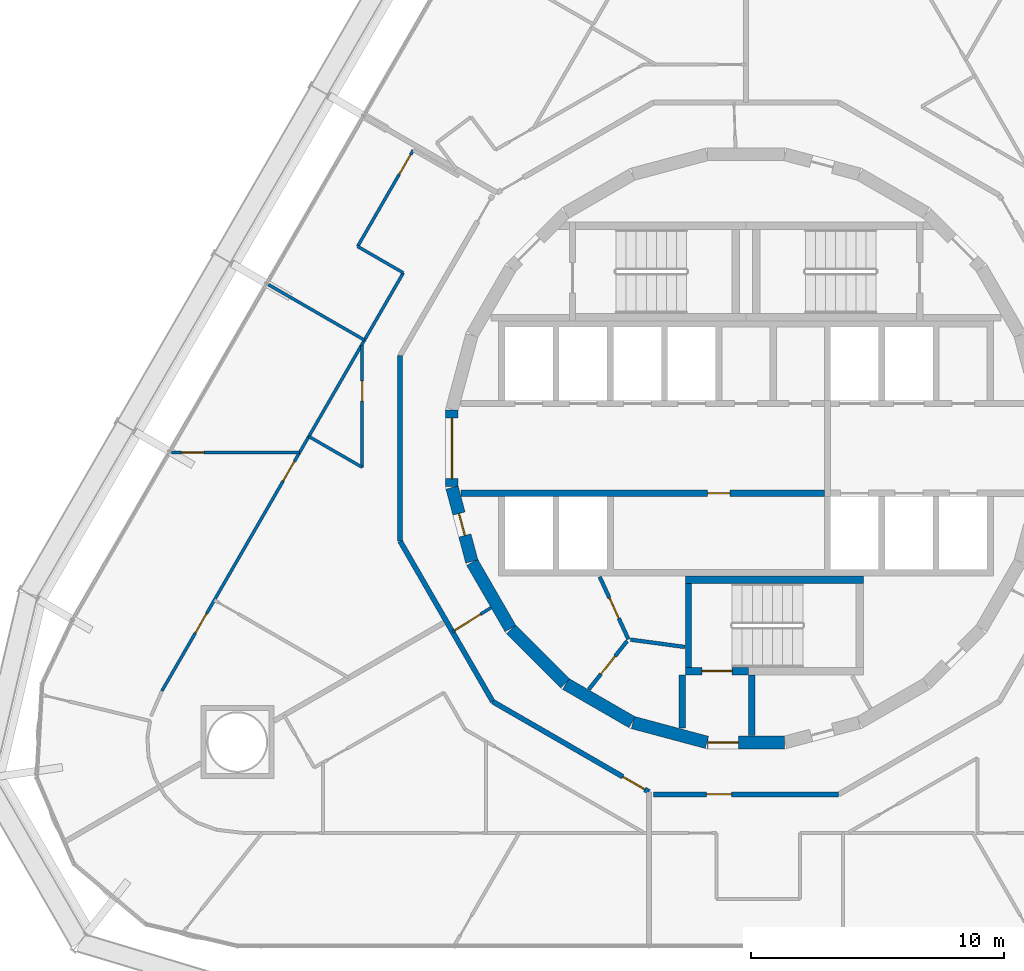
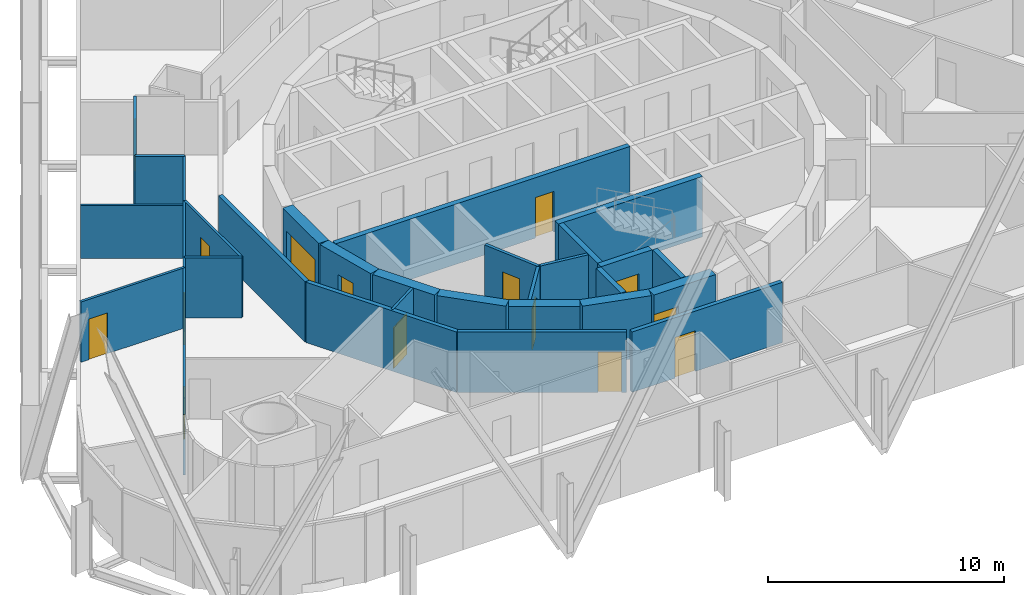
# One storey, part 15 of 21: 29 walls, 15 doors, 15 openings.
"""IFC4 building model written with IfcOpenShell, lengths in metres."""

import ifcopenshell
import ifcopenshell.guid

model = None  # the IFC model being written
_history = None  # IfcOwnerHistory: only IFC2X3 demands one
_inside = {}  # id of a spatial element -> (the spatial element, [elements in it])
_under = {}  # id of a project, library or spatial element -> (it, [spatial elements below it])
_declared = {}  # id of a project -> (the project, [libraries it declares])
_typed = {}  # id of a type object -> (the type object, [elements of that type])
_made_of = {}  # id of a material, layer set ... -> (it, [elements and type objects made of it])


def new_model(schema):
    """Start an empty IFC model of exactly this schema.

    Asked for "IFC4X3", IfcOpenShell would pick the latest addendum, in which some entities
    have other attributes; the version numbers below select the first issue.
    IFC2X3 requires an IfcOwnerHistory on every rooted entity: one is made here for all.
    """
    global model, _history
    if schema == "IFC4X3":
        model = ifcopenshell.file(schema_version=(4, 3, 0, 0))
    else:
        model = ifcopenshell.file(schema=schema)
    _inside.clear()
    _under.clear()
    _declared.clear()
    _typed.clear()
    _made_of.clear()
    _history = None
    if model.schema == "IFC2X3":
        org = make("IfcOrganization", Name="unknown")
        user = make(
            "IfcPersonAndOrganization",
            ThePerson=make("IfcPerson", FamilyName="unknown"),
            TheOrganization=org,
        )
        app = make(
            "IfcApplication",
            ApplicationDeveloper=org,
            Version="unknown",
            ApplicationFullName="unknown",
            ApplicationIdentifier="unknown",
        )
        _history = make(
            "IfcOwnerHistory",
            OwningUser=user,
            OwningApplication=app,
            ChangeAction="ADDED",
            CreationDate=0,
        )
    return model


def make(cls, **values):
    """One entity of the class cls with the attributes given. An attribute that is None is left unset."""
    return model.create_entity(
        cls, **{name: value for name, value in values.items() if value is not None}
    )


def rooted(cls, **values):
    """An entity with a GlobalId (a new one), such as an element, a storey or a relation."""
    return make(cls, GlobalId=ifcopenshell.guid.new(), OwnerHistory=_history, **values)


def si_unit(unit_type, name, prefix=None):
    """IfcSIUnit, for example si_unit("LENGTHUNIT", "METRE", prefix="MILLI")."""
    return make("IfcSIUnit", UnitType=unit_type, Prefix=prefix, Name=name)


def assignment(units):
    """IfcUnitAssignment: the units of a project."""
    return None if units is None else make("IfcUnitAssignment", Units=units)


def point(xyz):
    """IfcCartesianPoint."""
    return None if xyz is None else make("IfcCartesianPoint", Coordinates=xyz)


def direction(xyz):
    """IfcDirection."""
    return None if xyz is None else make("IfcDirection", DirectionRatios=xyz)


def frame(location, z_axis=None, x_axis=None):
    """IfcAxis2Placement3D, a coordinate frame: its origin and axes. An axis left out is left unset."""
    return make(
        "IfcAxis2Placement3D",
        Location=point(location),
        Axis=direction(z_axis),
        RefDirection=direction(x_axis),
    )


def frame_2d(location, x_axis=None):
    """IfcAxis2Placement2D, a coordinate frame in the plane: its origin and x axis."""
    return make(
        "IfcAxis2Placement2D", Location=point(location), RefDirection=direction(x_axis)
    )


def origin():
    """The frame at (0, 0, 0) with its axes left unset."""
    return frame((0.0, 0.0, 0.0))


def place(relative_to, where):
    """IfcLocalPlacement: puts the frame where relative to a parent placement (None: the world)."""
    return make(
        "IfcLocalPlacement", PlacementRelTo=relative_to, RelativePlacement=where
    )


def context(
    kind, dimensions, precision=None, world=None, true_north=None, identifier=None
):
    """IfcGeometricRepresentationContext, for example the 3D "Model" context."""
    return make(
        "IfcGeometricRepresentationContext",
        ContextIdentifier=identifier,
        ContextType=kind,
        CoordinateSpaceDimension=dimensions,
        Precision=precision,
        WorldCoordinateSystem=world,
        TrueNorth=true_north,
    )


def subcontext(parent, identifier, kind, view, scale=None):
    """IfcGeometricRepresentationSubContext, for example "Body" below "Model"."""
    return make(
        "IfcGeometricRepresentationSubContext",
        ContextIdentifier=identifier,
        ContextType=kind,
        ParentContext=parent,
        TargetScale=scale,
        TargetView=view,
    )


def project(units=None, contexts=None):
    """IfcProject with its units and contexts."""
    return rooted(
        "IfcProject",
        Name="project",
        RepresentationContexts=contexts,
        UnitsInContext=assignment(units),
    )


def spatial(cls, under=None, at=None, **own):
    """A site, building, storey or space (cls), placed at a placement, below another one or the project."""
    s = rooted(cls, ObjectPlacement=at, **own)
    if under is not None:
        _under.setdefault(under.id(), (under, []))[1].append(s)
    return s


def profile(cls, at=None, kind="AREA", **sizes):
    """A parametric profile (cls). Its sizes go by their IFC names, for example OverallWidth=200.0."""
    return make(cls, ProfileType=kind, Position=at, **sizes)


def rectangle(**sizes):
    """IfcRectangleProfileDef."""
    return profile("IfcRectangleProfileDef", **sizes)


def extrude(swept, where, along, depth):
    """IfcExtrudedAreaSolid: the profile swept, set in the frame where, extruded along a direction by depth."""
    return make(
        "IfcExtrudedAreaSolid",
        SweptArea=swept,
        Position=where,
        ExtrudedDirection=direction(along),
        Depth=depth,
    )


def shape(context_of_items, identifier, shape_type, items):
    """IfcShapeRepresentation: the items that make up one representation, for example the "Body"."""
    return make(
        "IfcShapeRepresentation",
        ContextOfItems=context_of_items,
        RepresentationIdentifier=identifier,
        RepresentationType=shape_type,
        Items=items,
    )


def material(Name=None, Category=None):
    """IfcMaterial."""
    return make("IfcMaterial", Name=Name, Category=Category)


def layer(
    of_material, thickness, ventilated=None, Name=None, Category=None, Priority=None
):
    """IfcMaterialLayer: one layer of a wall or slab, of a material (None: an air gap)."""
    return make(
        "IfcMaterialLayer",
        Material=of_material,
        LayerThickness=thickness,
        IsVentilated=ventilated,
        Name=Name,
        Category=Category,
        Priority=Priority,
    )


def layer_set(layers, Name=None):
    """IfcMaterialLayerSet."""
    return make("IfcMaterialLayerSet", MaterialLayers=layers, LayerSetName=Name)


def made_of(thing, what):
    """Note that an element or type object is made of a material, layer set ...; save() writes the relation."""
    if what is not None:
        _made_of.setdefault(what.id(), (what, []))[1].append(thing)
    return thing


def type_object(cls, material=None, **own):
    """A type object (cls), such as IfcWallType, which elements share."""
    return made_of(rooted(cls, **own), material)


def element(
    cls,
    number,
    at=None,
    inside=None,
    cuts=None,
    type_object=None,
    material=None,
    context=None,
    identifier="Body",
    shape_type=None,
    held_by="IfcProductDefinitionShape",
    body=None,
    shapes=None,
    **own,
):
    """One element of the class cls, such as IfcWall. Its Tag is "e" and its number.

    at: its placement. inside: the storey or other place that contains it. cuts: it is an
    opening in that element (IfcRelVoidsElement). A single representation is given by context,
    identifier, shape_type and body (its items); several are given by shapes. held_by: the class
    of the entity that holds the representations. save() writes the other relations.
    """
    e = rooted(cls, Tag="e%d" % number, ObjectPlacement=at, **own)
    if body is not None:
        shapes = [shape(context, identifier, shape_type, body)]
    if shapes is not None:
        e.Representation = make(held_by, Representations=shapes)
    if inside is not None:
        _inside.setdefault(inside.id(), (inside, []))[1].append(e)
    if cuts is not None:
        rooted(
            "IfcRelVoidsElement", RelatingBuildingElement=cuts, RelatedOpeningElement=e
        )
    if type_object is not None:
        _typed.setdefault(type_object.id(), (type_object, []))[1].append(e)
    return made_of(e, material)


def fill(opening, filler):
    """IfcRelFillsElement: the door or window that sits in an opening."""
    return rooted(
        "IfcRelFillsElement",
        RelatingOpeningElement=opening,
        RelatedBuildingElement=filler,
    )


def aggregate(whole, parts):
    """IfcRelAggregates: a whole, such as a stair, and the parts it consists of."""
    return rooted("IfcRelAggregates", RelatingObject=whole, RelatedObjects=parts)


def save(model, path):
    """Write the relations noted so far, then the file.

    IfcRelAggregates (storeys below a building ...), IfcRelContainedInSpatialStructure (elements
    in a storey), IfcRelDefinesByType, IfcRelAssociatesMaterial and IfcRelDeclares: one each for
    every whole, place, type object, material and project.
    """
    for whole, parts in _under.values():
        aggregate(whole, parts)
    for where, things in _inside.values():
        rooted(
            "IfcRelContainedInSpatialStructure",
            RelatedElements=things,
            RelatingStructure=where,
        )
    for kind, things in _typed.values():
        rooted("IfcRelDefinesByType", RelatedObjects=things, RelatingType=kind)
    for what, things in _made_of.values():
        rooted("IfcRelAssociatesMaterial", RelatedObjects=things, RelatingMaterial=what)
    for by, libraries in _declared.values():
        rooted("IfcRelDeclares", RelatingContext=by, RelatedDefinitions=libraries)
    model.write(path)


model = new_model("IFC4")

# Units and contexts
model_context = context("Model", 3, precision=1e-05, world=origin(), true_north=direction((0.0, 1.0)))
body_context = subcontext(model_context, "Body", "Model", "MODEL_VIEW")
ifc_project = project(units=[si_unit("LENGTHUNIT", "METRE"), si_unit("AREAUNIT", "SQUARE_METRE"), si_unit("VOLUMEUNIT", "CUBIC_METRE"), si_unit("PLANEANGLEUNIT", "RADIAN"), si_unit("MASSUNIT", "GRAM", prefix="KILO")], contexts=[model_context])

# Site, building, storey
site_placement = place(None, origin())
site = spatial("IfcSite", under=ifc_project, at=site_placement, CompositionType="ELEMENT")
building_placement = place(site_placement, origin())
building = spatial("IfcBuilding", under=site, at=building_placement, Name="Spindle Arch Residences", CompositionType="ELEMENT")
storey_placement = place(building_placement, frame((0.0, 0.0, 38.39990234375)))
storey = spatial("IfcBuildingStorey", under=building, at=storey_placement, Name="L07", CompositionType="ELEMENT", Elevation=38.39990234375)

# Wall, opening, door
ifc_material_1 = material(Name="Concrete C50/60", Category="concrete")
ifc_layer_1 = layer(ifc_material_1, 0.5)
ifc_layer_set_1 = layer_set([ifc_layer_1], Name="Core outline wall 500")
wall_type_1 = type_object("IfcWallType", Name="Core outline wall 500", PredefinedType="SHEAR", material=ifc_layer_set_1)
wall_1_placement = place(storey_placement, frame((-11.647216796875, 1.516357421875, 0.0), z_axis=(0.0, 0.0, 1.0), x_axis=(0.0, -1.0, 0.0)))
wall_1 = element("IfcWall", 1, at=wall_1_placement, inside=storey, type_object=wall_type_1, Name="Core outline wall 18", PredefinedType="SHEAR", context=body_context, shape_type="SweptSolid", body=[
    extrude(rectangle(XDim=3.03271484375, YDim=0.5, at=frame_2d((1.516357421875, 0.0))), origin(), (0.0, 0.0, 1.0), 3.1201171875),
])
opening_1_placement = place(wall_1_placement, frame((0.31640625, 0.0, 0.0)))
opening_1 = element("IfcOpeningElement", 2, at=opening_1_placement, cuts=wall_1, Name="Opening R1A0-LE01", PredefinedType="OPENING", context=body_context, shape_type="SweptSolid", body=[
    extrude(rectangle(XDim=2.39990234375, YDim=2.10009765625, at=frame_2d((1.199951171875, 1.050048828125))), frame((0.0, 0.260009765625, 0.0), z_axis=(0.0, -1.0, 0.0), x_axis=(1.0, 0.0, 0.0)), (0.0, 0.0, 1.0), 0.52001953125),
])
ifc_material_2 = material(Name="Steel, fire-resisting door", Category="steel")
door_type_1 = type_object("IfcDoorType", Name="Lift lobby entrance door 2400x2100", OperationType="DOUBLE_DOOR_SINGLE_SWING", PredefinedType="DOOR", material=ifc_material_2)
door_1_placement = place(opening_1_placement, origin())
door_1 = element("IfcDoor", 3, at=door_1_placement, inside=storey, type_object=door_type_1, Name="Lift lobby entrance door R1A0-LE01", OperationType="DOUBLE_DOOR_SINGLE_SWING", OverallHeight=2.10009765625, OverallWidth=2.39990234375, PredefinedType="DOOR", context=body_context, shape_type="SweptSolid", body=[
    extrude(rectangle(XDim=2.39990234375, YDim=2.10009765625, at=frame_2d((1.199951171875, 1.050048828125))), frame((0.0, 0.02490234375, 0.0), z_axis=(0.0, -1.0, 0.0), x_axis=(1.0, 0.0, 0.0)), (0.0, 0.0, 1.0), 0.050048828125),
])
fill(opening_1, door_1)

wall_2_placement = place(storey_placement, frame((-11.642822265625, -1.5498046875, 0.0), z_axis=(0.0, 0.0, 1.0), x_axis=(0.258734743916, -0.965948410781, 0.0)))
wall_2 = element("IfcWall", 4, at=wall_2_placement, inside=storey, type_object=wall_type_1, Name="Core outline wall 19", PredefinedType="SHEAR", context=body_context, shape_type="SweptSolid", body=[
    extrude(rectangle(XDim=3.03271484375, YDim=0.5, at=frame_2d((1.516357421875, 0.0))), origin(), (0.0, 0.0, 1.0), 3.1201171875),
])
opening_2_placement = place(wall_2_placement, frame((1.06640625, 0.0, 0.0)))
opening_2 = element("IfcOpeningElement", 5, at=opening_2_placement, cuts=wall_2, Name="Opening R1A0-WD09", PredefinedType="OPENING", context=body_context, shape_type="SweptSolid", body=[
    extrude(rectangle(XDim=0.89990234375, YDim=2.10009765625, at=frame_2d((0.449951171875, 1.050048828125))), frame((0.0, 0.260009765625, 0.0), z_axis=(0.0, -1.0, 0.0), x_axis=(1.0, 0.0, 0.0)), (0.0, 0.0, 1.0), 0.52001953125),
])
ifc_material_3 = material(Name="Steel, fire-resisting door", Category="steel")
door_type_2 = type_object("IfcDoorType", Name="Service room door 900x2100", OperationType="SINGLE_SWING_LEFT", PredefinedType="DOOR", material=ifc_material_3)
door_2_placement = place(opening_2_placement, origin())
door_2 = element("IfcDoor", 6, at=door_2_placement, inside=storey, type_object=door_type_2, Name="Service room door R1A0-WD09", OperationType="SINGLE_SWING_RIGHT", OverallHeight=2.10009765625, OverallWidth=0.89990234375, PredefinedType="DOOR", context=body_context, shape_type="SweptSolid", body=[
    extrude(rectangle(XDim=0.89990234375, YDim=2.10009765625, at=frame_2d((0.449951171875, 1.050048828125))), frame((0.0, 0.02490234375, 0.0), z_axis=(0.0, -1.0, 0.0), x_axis=(1.0, 0.0, 0.0)), (0.0, 0.0, 1.0), 0.050048828125),
])
fill(opening_2, door_2)

# Walls
wall_3_placement = place(storey_placement, frame((-10.84521484375, -4.510498046875, 0.0), z_axis=(0.0, 0.0, 1.0), x_axis=(0.500087131594, -0.865975092491, 0.0)))
element("IfcWall", 7, at=wall_3_placement, inside=storey, type_object=wall_type_1, Name="Core outline wall 20", PredefinedType="SHEAR", context=body_context, shape_type="SweptSolid", body=[
    extrude(rectangle(XDim=3.03271484375, YDim=0.5, at=frame_2d((1.516357421875, 0.0))), origin(), (0.0, 0.0, 1.0), 3.1201171875),
])
wall_4_placement = place(storey_placement, frame((-9.30810546875, -7.163818359375, 0.0), z_axis=(0.0, 0.0, 1.0), x_axis=(0.707106781187, -0.707106781187, 0.0)))
element("IfcWall", 8, at=wall_4_placement, inside=storey, type_object=wall_type_1, Name="Core outline wall 21", PredefinedType="SHEAR", context=body_context, shape_type="SweptSolid", body=[
    extrude(rectangle(XDim=3.032470703125, YDim=0.5, at=frame_2d((1.51611328125, 0.0))), origin(), (0.0, 0.0, 1.0), 3.1201171875),
])
for number, where, z_axis, x_axis, name in (
    (9, (-7.13671875, -9.32861328125, 0.0), (0.0, 0.0, 1.0), (0.865975092491, -0.500087131594, 0.0), "Core outline wall 22"),
    (10, (-4.479248046875, -10.858154296875, 0.0), (0.0, 0.0, 1.0), (0.965948410781, -0.258734743916, 0.0), "Core outline wall 23"),
):
    element("IfcWall", number, at=place(storey_placement, frame(where, z_axis=z_axis, x_axis=x_axis)), inside=storey, type_object=wall_type_1, Name=name, PredefinedType="SHEAR", context=body_context, shape_type="SweptSolid", body=[
        extrude(rectangle(XDim=3.03271484375, YDim=0.5, at=frame_2d((1.516357421875, 0.0))), origin(), (0.0, 0.0, 1.0), 3.1201171875),
    ])

# Wall, opening, door
wall_5_placement = place(storey_placement, frame((-1.516357421875, -11.647216796875, 0.0), z_axis=(0.0, 0.0, 1.0), x_axis=(1.0, 0.0, 0.0)))
wall_5 = element("IfcWall", 11, at=wall_5_placement, inside=storey, type_object=wall_type_1, Name="Core outline wall 24", PredefinedType="SHEAR", context=body_context, shape_type="SweptSolid", body=[
    extrude(rectangle(XDim=3.03271484375, YDim=0.5, at=frame_2d((1.516357421875, 0.0))), origin(), (0.0, 0.0, 1.0), 3.1201171875),
])
opening_3_placement = place(wall_5_placement, frame((0.016357421875, 0.0, 0.0)))
opening_3 = element("IfcOpeningElement", 12, at=opening_3_placement, cuts=wall_5, Name="Opening R1A0-AD03", PredefinedType="OPENING", context=body_context, shape_type="SweptSolid", body=[
    extrude(rectangle(XDim=1.199951171875, YDim=2.10009765625, at=frame_2d((0.60009765625, 1.050048828125))), frame((0.0, 0.260009765625, 0.0), z_axis=(0.0, -1.0, 0.0), x_axis=(1.0, 0.0, 0.0)), (0.0, 0.0, 1.0), 0.52001953125),
])
ifc_material_4 = material(Name="Steel, fire-resisting door", Category="steel")
door_type_3 = type_object("IfcDoorType", Name="Stair airlock door 1200x2100", OperationType="SINGLE_SWING_LEFT", PredefinedType="DOOR", material=ifc_material_4)
door_3_placement = place(opening_3_placement, origin())
door_3 = element("IfcDoor", 13, at=door_3_placement, inside=storey, type_object=door_type_3, Name="Stair airlock door R1A0-AD03", OperationType="SINGLE_SWING_RIGHT", OverallHeight=2.10009765625, OverallWidth=1.199951171875, PredefinedType="DOOR", context=body_context, shape_type="SweptSolid", body=[
    extrude(rectangle(XDim=1.199951171875, YDim=2.10009765625, at=frame_2d((0.60009765625, 1.050048828125))), frame((0.0, 0.02490234375, 0.0), z_axis=(0.0, -1.0, 0.0), x_axis=(1.0, 0.0, 0.0)), (0.0, 0.0, 1.0), 0.050048828125),
])
fill(opening_3, door_3)

ifc_material_5 = material(Name="Plasterboard on steel studs", Category="steel")
ifc_layer_2 = layer(ifc_material_5, 0.1201171875)
ifc_layer_set_2 = layer_set([ifc_layer_2], Name="Corridor division wall 120")
wall_type_2 = type_object("IfcWallType", Name="Corridor division wall 120", PredefinedType="PARTITIONING", material=ifc_layer_set_2)
wall_6_placement = place(storey_placement, frame((-11.625244140625, -7.264404296875, 0.0), z_axis=(0.0, 0.0, 1.0), x_axis=(0.84803632456, 0.529938102259, 0.0)))
wall_6 = element("IfcWall", 14, at=wall_6_placement, inside=storey, type_object=wall_type_2, Name="Corridor division wall R1A0-W003", PredefinedType="PARTITIONING", context=body_context, shape_type="SweptSolid", body=[
    extrude(rectangle(XDim=1.8037109375, YDim=0.1201171875, at=frame_2d((0.90185546875, 0.0))), origin(), (0.0, 0.0, 1.0), 3.1201171875),
])
opening_4_placement = place(wall_6_placement, frame((0.110107421875, 0.0, 0.0)))
opening_4 = element("IfcOpeningElement", 15, at=opening_4_placement, cuts=wall_6, Name="Opening R1A0-CD03", PredefinedType="OPENING", context=body_context, shape_type="SweptSolid", body=[
    extrude(rectangle(XDim=1.199951171875, YDim=2.10009765625, at=frame_2d((0.60009765625, 1.050048828125))), frame((0.0, 0.070068359375, 0.0), z_axis=(0.0, -1.0, 0.0), x_axis=(1.0, 0.0, 0.0)), (0.0, 0.0, 1.0), 0.14013671875),
])
ifc_material_6 = material(Name="Steel, fire-resisting door", Category="steel")
door_type_4 = type_object("IfcDoorType", Name="Corridor division door 1200x2100", OperationType="NOTDEFINED", PredefinedType="DOOR", material=ifc_material_6)
door_4_placement = place(opening_4_placement, origin())
door_4 = element("IfcDoor", 16, at=door_4_placement, inside=storey, type_object=door_type_4, Name="Corridor division door R1A0-CD03", OperationType="DOUBLE_DOOR_SINGLE_SWING", OverallHeight=2.10009765625, OverallWidth=1.199951171875, PredefinedType="DOOR", context=body_context, shape_type="SweptSolid", body=[
    extrude(rectangle(XDim=1.199951171875, YDim=2.10009765625, at=frame_2d((0.60009765625, 1.050048828125))), frame((0.0, 0.02490234375, 0.0), z_axis=(0.0, -1.0, 0.0), x_axis=(1.0, 0.0, 0.0)), (0.0, 0.0, 1.0), 0.050048828125),
])
fill(opening_4, door_4)

# Walls
ifc_material_7 = material(Name="Calcium silicate block, plastered")
ifc_layer_3 = layer(ifc_material_7, 0.199951171875)
ifc_layer_set_3 = layer_set([ifc_layer_3], Name="Corridor wall 200")
wall_type_3 = type_object("IfcWallType", Name="Corridor wall 200", PredefinedType="STANDARD", material=ifc_layer_set_3)
for number, where, z_axis, x_axis, name in (
    (17, (-13.699951171875, 3.6708984375, 0.0), (0.0, 0.0, 1.0), (0.0, -1.0, 0.0), "Corridor wall R1A0-W011"),
    (18, (-13.699951171875, -3.6708984375, 0.0), (0.0, 0.0, 1.0), (0.500001669485, -0.866024439905, 0.0), "Corridor wall R1A0-W012"),
):
    element("IfcWall", number, at=place(storey_placement, frame(where, z_axis=z_axis, x_axis=x_axis)), inside=storey, type_object=wall_type_3, Name=name, PredefinedType="STANDARD", context=body_context, shape_type="SweptSolid", body=[
        extrude(rectangle(XDim=7.341796875, YDim=0.199951171875, at=frame_2d((3.6708984375, 0.0))), origin(), (0.0, 0.0, 1.0), 3.1201171875),
    ])

# Wall, opening, door
wall_7_placement = place(storey_placement, frame((-10.029052734375, -10.029052734375, 0.0), z_axis=(0.0, 0.0, 1.0), x_axis=(0.866022878987, -0.500004373052, 0.0)))
wall_7 = element("IfcWall", 19, at=wall_7_placement, inside=storey, type_object=wall_type_3, Name="Corridor wall R1A0-W013", PredefinedType="STANDARD", context=body_context, shape_type="SweptSolid", body=[
    extrude(rectangle(XDim=7.146484375, YDim=0.199951171875, at=frame_2d((3.5732421875, 0.0))), origin(), (0.0, 0.0, 1.0), 3.1201171875),
])
opening_5_placement = place(wall_7_placement, frame((5.946533203125, 0.0, 0.0)))
opening_5 = element("IfcOpeningElement", 20, at=opening_5_placement, cuts=wall_7, Name="Opening R1A0-FD04", PredefinedType="OPENING", context=body_context, shape_type="SweptSolid", body=[
    extrude(rectangle(XDim=1.0, YDim=2.10009765625, at=frame_2d((0.5, 1.050048828125))), frame((0.0, 0.10986328125, 0.0), z_axis=(0.0, -1.0, 0.0), x_axis=(1.0, 0.0, 0.0)), (0.0, 0.0, 1.0), 0.219970703125),
])
ifc_material_8 = material(Name="Timber, fire-resisting door set", Category="wood")
door_type_5 = type_object("IfcDoorType", Name="Flat entrance door 1000x2100", OperationType="NOTDEFINED", PredefinedType="DOOR", material=ifc_material_8)
door_5_placement = place(opening_5_placement, origin())
door_5 = element("IfcDoor", 21, at=door_5_placement, inside=storey, type_object=door_type_5, Name="Flat entrance door R1A0-FD04", OperationType="SINGLE_SWING_LEFT", OverallHeight=2.10009765625, OverallWidth=1.0, PredefinedType="DOOR", context=body_context, shape_type="SweptSolid", body=[
    extrude(rectangle(XDim=1.0, YDim=2.10009765625, at=frame_2d((0.5, 1.050048828125))), frame((0.0, 0.02490234375, 0.0), z_axis=(0.0, -1.0, 0.0), x_axis=(1.0, 0.0, 0.0)), (0.0, 0.0, 1.0), 0.050048828125),
])
fill(opening_5, door_5)

wall_8_placement = place(storey_placement, frame((-3.6708984375, -13.699951171875, 0.0), z_axis=(0.0, 0.0, 1.0), x_axis=(1.0, 0.0, 0.0)))
wall_8 = element("IfcWall", 22, at=wall_8_placement, inside=storey, type_object=wall_type_3, Name="Corridor wall R1A0-W014", PredefinedType="STANDARD", context=body_context, shape_type="SweptSolid", body=[
    extrude(rectangle(XDim=7.341796875, YDim=0.199951171875, at=frame_2d((3.6708984375, 0.0))), origin(), (0.0, 0.0, 1.0), 3.1201171875),
])
opening_6_placement = place(wall_8_placement, frame((2.10009765625, 0.0, 0.0)))
opening_6 = element("IfcOpeningElement", 23, at=opening_6_placement, cuts=wall_8, Name="Opening R1A0-FD05", PredefinedType="OPENING", context=body_context, shape_type="SweptSolid", body=[
    extrude(rectangle(XDim=1.0, YDim=2.10009765625, at=frame_2d((0.5, 1.050048828125))), frame((0.0, 0.10986328125, 0.0), z_axis=(0.0, -1.0, 0.0), x_axis=(1.0, 0.0, 0.0)), (0.0, 0.0, 1.0), 0.219970703125),
])
door_6_placement = place(opening_6_placement, origin())
door_6 = element("IfcDoor", 24, at=door_6_placement, inside=storey, type_object=door_type_5, Name="Flat entrance door R1A0-FD05", OperationType="SINGLE_SWING_LEFT", OverallHeight=2.10009765625, OverallWidth=1.0, PredefinedType="DOOR", context=body_context, shape_type="SweptSolid", body=[
    extrude(rectangle(XDim=1.0, YDim=2.10009765625, at=frame_2d((0.5, 1.050048828125))), frame((0.0, 0.02490234375, 0.0), z_axis=(0.0, -1.0, 0.0), x_axis=(1.0, 0.0, 0.0)), (0.0, 0.0, 1.0), 0.050048828125),
])
fill(opening_6, door_6)

ifc_material_9 = material(Name="Plasterboard on steel studs", Category="steel")
ifc_layer_4 = layer(ifc_material_9, 0.1201171875)
ifc_layer_set_4 = layer_set([ifc_layer_4], Name="Flat partition 120")
wall_type_4 = type_object("IfcWallType", Name="Flat partition 120", PredefinedType="PARTITIONING", material=ifc_layer_set_4)
wall_9_placement = place(storey_placement, frame((-13.181396484375, 11.807861328125, 0.0), z_axis=(0.0, 0.0, 1.0), x_axis=(-0.50002983664, -0.866008176907, 0.0)))
wall_9 = element("IfcWall", 25, at=wall_9_placement, inside=storey, type_object=wall_type_4, Name="Flat partition R1A0-W057", PredefinedType="PARTITIONING", context=body_context, shape_type="SweptSolid", body=[
    extrude(rectangle(XDim=4.400146484375, YDim=0.1201171875, at=frame_2d((2.2001953125, 0.0))), origin(), (0.0, 0.0, 1.0), 3.1201171875),
])
opening_7_placement = place(wall_9_placement, frame((0.199951171875, 0.0, 0.0)))
opening_7 = element("IfcOpeningElement", 26, at=opening_7_placement, cuts=wall_9, Name="Opening R1A0-ID12", PredefinedType="OPENING", context=body_context, shape_type="SweptSolid", body=[
    extrude(rectangle(XDim=0.89990234375, YDim=2.10009765625, at=frame_2d((0.449951171875, 1.050048828125))), frame((0.0, 0.070068359375, 0.0), z_axis=(0.0, -1.0, 0.0), x_axis=(1.0, 0.0, 0.0)), (0.0, 0.0, 1.0), 0.14013671875),
])
ifc_material_10 = material(Name="Timber door set", Category="wood")
door_type_6 = type_object("IfcDoorType", Name="Room door 900x2100", OperationType="NOTDEFINED", PredefinedType="DOOR", material=ifc_material_10)
door_7_placement = place(opening_7_placement, origin())
door_7 = element("IfcDoor", 27, at=door_7_placement, inside=storey, type_object=door_type_6, Name="Room door R1A0-ID12", OperationType="SINGLE_SWING_LEFT", OverallHeight=2.10009765625, OverallWidth=0.89990234375, PredefinedType="DOOR", context=body_context, shape_type="SweptSolid", body=[
    extrude(rectangle(XDim=0.89990234375, YDim=2.10009765625, at=frame_2d((0.449951171875, 1.050048828125))), frame((0.0, 0.02490234375, 0.0), z_axis=(0.0, -1.0, 0.0), x_axis=(1.0, 0.0, 0.0)), (0.0, 0.0, 1.0), 0.050048828125),
])
fill(opening_7, door_7)

# Walls
wall_10_placement = place(storey_placement, frame((-15.381591796875, 7.997314453125, 0.0), z_axis=(0.0, 0.0, 1.0), x_axis=(0.866041603473, -0.499971940267, 0.0)))
element("IfcWall", 28, at=wall_10_placement, inside=storey, type_object=wall_type_4, Name="Flat partition R1A0-W058", PredefinedType="PARTITIONING", context=body_context, shape_type="SweptSolid", body=[
    extrude(rectangle(XDim=2.08935546875, YDim=0.1201171875, at=frame_2d((1.044677734375, 0.0))), origin(), (0.0, 0.0, 1.0), 3.1201171875),
])
wall_11_placement = place(storey_placement, frame((-13.572021484375, 6.95263671875, 0.0), z_axis=(0.0, 0.0, 1.0), x_axis=(-0.499981332661, -0.866036181109, 0.0)))
element("IfcWall", 29, at=wall_11_placement, inside=storey, type_object=wall_type_4, Name="Flat partition R1A0-W059", PredefinedType="PARTITIONING", context=body_context, shape_type="SweptSolid", body=[
    extrude(rectangle(XDim=7.483154296875, YDim=0.1201171875, at=frame_2d((3.74169921875, 0.0))), origin(), (0.0, 0.0, 1.0), 3.1201171875),
])

# Wall, openings, doors
wall_12_placement = place(storey_placement, frame((-17.3134765625, 0.471923828125, 0.0), z_axis=(0.0, 0.0, 1.0), x_axis=(-0.499999047218, -0.866025953873, 0.0)))
wall_12 = element("IfcWall", 30, at=wall_12_placement, inside=storey, type_object=wall_type_4, Name="Flat partition R1A0-W060", PredefinedType="PARTITIONING", context=body_context, shape_type="SweptSolid", body=[
    extrude(rectangle(XDim=11.63916015625, YDim=0.1201171875, at=frame_2d((5.819580078125, 0.0))), origin(), (0.0, 0.0, 1.0), 3.1201171875),
])
opening_8_placement = place(wall_12_placement, frame((1.131591796875, 0.0, 0.0)))
opening_8 = element("IfcOpeningElement", 31, at=opening_8_placement, cuts=wall_12, Name="Opening R1A0-ID13", PredefinedType="OPENING", context=body_context, shape_type="SweptSolid", body=[
    extrude(rectangle(XDim=0.89990234375, YDim=2.10009765625, at=frame_2d((0.449951171875, 1.050048828125))), frame((0.0, 0.070068359375, 0.0), z_axis=(0.0, -1.0, 0.0), x_axis=(1.0, 0.0, 0.0)), (0.0, 0.0, 1.0), 0.14013671875),
])
opening_9_placement = place(wall_12_placement, frame((8.0830078125, 0.0, 0.0)))
opening_9 = element("IfcOpeningElement", 32, at=opening_9_placement, cuts=wall_12, Name="Opening R1A0-ID17", PredefinedType="OPENING", context=body_context, shape_type="SweptSolid", body=[
    extrude(rectangle(XDim=0.89990234375, YDim=2.10009765625, at=frame_2d((0.449951171875, 1.050048828125))), frame((0.0, 0.070068359375, 0.0), z_axis=(0.0, -1.0, 0.0), x_axis=(1.0, 0.0, 0.0)), (0.0, 0.0, 1.0), 0.14013671875),
])
door_8_placement = place(opening_8_placement, origin())
door_8 = element("IfcDoor", 33, at=door_8_placement, inside=storey, type_object=door_type_6, Name="Room door R1A0-ID13", OperationType="SINGLE_SWING_RIGHT", OverallHeight=2.10009765625, OverallWidth=0.89990234375, PredefinedType="DOOR", context=body_context, shape_type="SweptSolid", body=[
    extrude(rectangle(XDim=0.89990234375, YDim=2.10009765625, at=frame_2d((0.449951171875, 1.050048828125))), frame((0.0, 0.02490234375, 0.0), z_axis=(0.0, -1.0, 0.0), x_axis=(1.0, 0.0, 0.0)), (0.0, 0.0, 1.0), 0.050048828125),
])
fill(opening_8, door_8)
door_9_placement = place(opening_9_placement, origin())
door_9 = element("IfcDoor", 34, at=door_9_placement, inside=storey, type_object=door_type_6, Name="Room door R1A0-ID17", OperationType="SINGLE_SWING_LEFT", OverallHeight=2.10009765625, OverallWidth=0.89990234375, PredefinedType="DOOR", context=body_context, shape_type="SweptSolid", body=[
    extrude(rectangle(XDim=0.89990234375, YDim=2.10009765625, at=frame_2d((0.449951171875, 1.050048828125))), frame((0.0, 0.02490234375, 0.0), z_axis=(0.0, -1.0, 0.0), x_axis=(1.0, 0.0, 0.0)), (0.0, 0.0, 1.0), 0.050048828125),
])
fill(opening_9, door_9)

# Wall, opening, door
wall_13_placement = place(storey_placement, frame((-15.199951171875, 4.07275390625, 0.0), z_axis=(0.0, 0.0, 1.0), x_axis=(0.0, -1.0, 0.0)))
wall_13 = element("IfcWall", 35, at=wall_13_placement, inside=storey, type_object=wall_type_4, Name="Flat partition R1A0-W061", PredefinedType="PARTITIONING", context=body_context, shape_type="SweptSolid", body=[
    extrude(rectangle(XDim=4.821044921875, YDim=0.1201171875, at=frame_2d((2.41064453125, 0.0))), origin(), (0.0, 0.0, 1.0), 3.1201171875),
])
opening_10_placement = place(wall_13_placement, frame((1.39990234375, 0.0, 0.0)))
opening_10 = element("IfcOpeningElement", 36, at=opening_10_placement, cuts=wall_13, Name="Opening R1A0-BD04", PredefinedType="OPENING", context=body_context, shape_type="SweptSolid", body=[
    extrude(rectangle(XDim=0.800048828125, YDim=2.10009765625, at=frame_2d((0.39990234375, 1.050048828125))), frame((0.0, 0.070068359375, 0.0), z_axis=(0.0, -1.0, 0.0), x_axis=(1.0, 0.0, 0.0)), (0.0, 0.0, 1.0), 0.14013671875),
])
ifc_material_11 = material(Name="Timber door set", Category="wood")
door_type_7 = type_object("IfcDoorType", Name="Bathroom door 800x2100", OperationType="NOTDEFINED", PredefinedType="DOOR", material=ifc_material_11)
door_10_placement = place(opening_10_placement, origin())
door_10 = element("IfcDoor", 37, at=door_10_placement, inside=storey, type_object=door_type_7, Name="Bathroom door R1A0-BD04", OperationType="SINGLE_SWING_RIGHT", OverallHeight=2.10009765625, OverallWidth=0.800048828125, PredefinedType="DOOR", context=body_context, shape_type="SweptSolid", body=[
    extrude(rectangle(XDim=0.800048828125, YDim=2.10009765625, at=frame_2d((0.39990234375, 1.050048828125))), frame((0.0, 0.02490234375, 0.0), z_axis=(0.0, -1.0, 0.0), x_axis=(1.0, 0.0, 0.0)), (0.0, 0.0, 1.0), 0.050048828125),
])
fill(opening_10, door_10)

# Wall
wall_14_placement = place(storey_placement, frame((-15.199951171875, -0.748291015625, 0.0), z_axis=(0.0, 0.0, 1.0), x_axis=(-0.866030657337, 0.49999090047, 0.0)))
element("IfcWall", 38, at=wall_14_placement, inside=storey, type_object=wall_type_4, Name="Flat partition R1A0-W062", PredefinedType="PARTITIONING", context=body_context, shape_type="SweptSolid", body=[
    extrude(rectangle(XDim=2.4404296875, YDim=0.1201171875, at=frame_2d((1.22021484375, 0.0))), origin(), (0.0, 0.0, 1.0), 3.1201171875),
])

# Wall, opening, door
wall_15_placement = place(storey_placement, frame((-22.760009765625, -0.161865234375, 0.0), z_axis=(0.0, 0.0, 1.0), x_axis=(1.0, 0.0, 0.0)))
wall_15 = element("IfcWall", 39, at=wall_15_placement, inside=storey, type_object=wall_type_4, Name="Flat partition R1A0-W065", PredefinedType="PARTITIONING", context=body_context, shape_type="SweptSolid", body=[
    extrude(rectangle(XDim=5.08056640625, YDim=0.1201171875, at=frame_2d((2.540283203125, 0.0))), origin(), (0.0, 0.0, 1.0), 3.1201171875),
])
opening_11_placement = place(wall_15_placement, frame((0.39990234375, 0.0, 0.0)))
opening_11 = element("IfcOpeningElement", 40, at=opening_11_placement, cuts=wall_15, Name="Opening R1A0-ID15", PredefinedType="OPENING", context=body_context, shape_type="SweptSolid", body=[
    extrude(rectangle(XDim=0.89990234375, YDim=2.10009765625, at=frame_2d((0.449951171875, 1.050048828125))), frame((0.0, 0.070068359375, 0.0), z_axis=(0.0, -1.0, 0.0), x_axis=(1.0, 0.0, 0.0)), (0.0, 0.0, 1.0), 0.14013671875),
])
door_11_placement = place(opening_11_placement, origin())
door_11 = element("IfcDoor", 41, at=door_11_placement, inside=storey, type_object=door_type_6, Name="Room door R1A0-ID15", OperationType="SINGLE_SWING_LEFT", OverallHeight=2.10009765625, OverallWidth=0.89990234375, PredefinedType="DOOR", context=body_context, shape_type="SweptSolid", body=[
    extrude(rectangle(XDim=0.89990234375, YDim=2.10009765625, at=frame_2d((0.449951171875, 1.050048828125))), frame((0.0, 0.02490234375, 0.0), z_axis=(0.0, -1.0, 0.0), x_axis=(1.0, 0.0, 0.0)), (0.0, 0.0, 1.0), 0.050048828125),
])
fill(opening_11, door_11)

# Wall
ifc_material_12 = material(Name="Plasterboard on steel studs", Category="steel")
ifc_layer_5 = layer(ifc_material_12, 0.1201171875)
ifc_layer_set_5 = layer_set([ifc_layer_5], Name="Flat partition 120 under beam 2730")
wall_type_5 = type_object("IfcWallType", Name="Flat partition 120 under beam 2730", PredefinedType="PARTITIONING", material=ifc_layer_set_5)
wall_16_placement = place(storey_placement, frame((-18.919921875, 6.489501953125, 0.0), z_axis=(0.0, 0.0, 1.0), x_axis=(0.865994303029, -0.500053864221, 0.0)))
element("IfcWall", 42, at=wall_16_placement, inside=storey, type_object=wall_type_5, Name="Flat partition R1A0-W064", PredefinedType="PARTITIONING", context=body_context, shape_type="SweptSolid", body=[
    extrude(rectangle(XDim=4.39990234375, YDim=0.1201171875, at=frame_2d((2.199951171875, 0.0))), origin(), (0.0, 0.0, 1.0), 2.72998046875),
])

# Wall, opening, door
ifc_material_13 = material(Name="Concrete C50/60", Category="concrete")
ifc_layer_6 = layer(ifc_material_13, 0.25)
ifc_layer_set_6 = layer_set([ifc_layer_6], Name="Lift shaft wall 250")
wall_type_6 = type_object("IfcWallType", Name="Lift shaft wall 250", PredefinedType="SHEAR", material=ifc_layer_set_6)
wall_17_placement = place(storey_placement, frame((-11.280029296875, -1.77490234375, 0.0), z_axis=(0.0, 0.0, 1.0), x_axis=(1.0, 0.0, 0.0)))
wall_17 = element("IfcWall", 43, at=wall_17_placement, inside=storey, type_object=wall_type_6, Name="Lift shaft front wall SW", PredefinedType="SHEAR", context=body_context, shape_type="SweptSolid", body=[
    extrude(rectangle(XDim=14.380126953125, YDim=0.25, at=frame_2d((7.18994140625, 0.0))), origin(), (0.0, 0.0, 1.0), 3.1201171875),
])
opening_12_placement = place(wall_17_placement, frame((9.7548828125, 0.0, 0.0)))
opening_12 = element("IfcOpeningElement", 44, at=opening_12_placement, cuts=wall_17, Name="Opening R1A0-WD04", PredefinedType="OPENING", context=body_context, shape_type="SweptSolid", body=[
    extrude(rectangle(XDim=0.89990234375, YDim=2.10009765625, at=frame_2d((0.449951171875, 1.050048828125))), frame((0.0, 0.135009765625, 0.0), z_axis=(0.0, -1.0, 0.0), x_axis=(1.0, 0.0, 0.0)), (0.0, 0.0, 1.0), 0.27001953125),
])
door_12_placement = place(opening_12_placement, origin())
door_12 = element("IfcDoor", 45, at=door_12_placement, inside=storey, type_object=door_type_2, Name="Service room door R1A0-WD04", OperationType="SINGLE_SWING_LEFT", OverallHeight=2.10009765625, OverallWidth=0.89990234375, PredefinedType="DOOR", context=body_context, shape_type="SweptSolid", body=[
    extrude(rectangle(XDim=0.89990234375, YDim=2.10009765625, at=frame_2d((0.449951171875, 1.050048828125))), frame((0.0, 0.02490234375, 0.0), z_axis=(0.0, -1.0, 0.0), x_axis=(1.0, 0.0, 0.0)), (0.0, 0.0, 1.0), 0.050048828125),
])
fill(opening_12, door_12)

ifc_material_14 = material(Name="Concrete C25/30", Category="concrete")
ifc_layer_7 = layer(ifc_material_14, 0.14990234375)
ifc_layer_set_7 = layer_set([ifc_layer_7], Name="Service room partition 150")
wall_type_7 = type_object("IfcWallType", Name="Service room partition 150", PredefinedType="PARTITIONING", material=ifc_layer_set_7)
wall_18_placement = place(storey_placement, frame((-5.794921875, -5.086181640625, 0.0), z_axis=(0.0, 0.0, 1.0), x_axis=(0.417887867606, -0.908498613157, 0.0)))
wall_18 = element("IfcWall", 46, at=wall_18_placement, inside=storey, type_object=wall_type_7, Name="Core service room partition", PredefinedType="PARTITIONING", context=body_context, shape_type="SweptSolid", body=[
    extrude(rectangle(XDim=2.72607421875, YDim=0.14990234375, at=frame_2d((1.363037109375, 0.0))), origin(), (0.0, 0.0, 1.0), 3.1201171875),
])
opening_13_placement = place(wall_18_placement, frame((0.912841796875, 0.0, 0.0)))
opening_13 = element("IfcOpeningElement", 47, at=opening_13_placement, cuts=wall_18, Name="Opening R1A0-WD05", PredefinedType="OPENING", context=body_context, shape_type="SweptSolid", body=[
    extrude(rectangle(XDim=0.89990234375, YDim=2.10009765625, at=frame_2d((0.449951171875, 1.050048828125))), frame((0.0, 0.0849609375, 0.0), z_axis=(0.0, -1.0, 0.0), x_axis=(1.0, 0.0, 0.0)), (0.0, 0.0, 1.0), 0.169921875),
])
door_13_placement = place(opening_13_placement, origin())
door_13 = element("IfcDoor", 48, at=door_13_placement, inside=storey, type_object=door_type_2, Name="Service room door R1A0-WD05", OperationType="SINGLE_SWING_RIGHT", OverallHeight=2.10009765625, OverallWidth=0.89990234375, PredefinedType="DOOR", context=body_context, shape_type="SweptSolid", body=[
    extrude(rectangle(XDim=0.89990234375, YDim=2.10009765625, at=frame_2d((0.449951171875, 1.050048828125))), frame((0.0, 0.02490234375, 0.0), z_axis=(0.0, -1.0, 0.0), x_axis=(1.0, 0.0, 0.0)), (0.0, 0.0, 1.0), 0.050048828125),
])
fill(opening_13, door_13)

wall_19_placement = place(storey_placement, frame((-4.70556640625, -7.62548828125, 0.0), z_axis=(0.0, 0.0, 1.0), x_axis=(-0.621392599334, -0.783499353856, 0.0)))
wall_19 = element("IfcWall", 49, at=wall_19_placement, inside=storey, type_object=wall_type_7, Name="Core service room partition", PredefinedType="PARTITIONING", context=body_context, shape_type="SweptSolid", body=[
    extrude(rectangle(XDim=2.447265625, YDim=0.14990234375, at=frame_2d((1.2236328125, 0.0))), origin(), (0.0, 0.0, 1.0), 3.1201171875),
])
opening_14_placement = place(wall_19_placement, frame((0.773681640625, 0.0, 0.0)))
opening_14 = element("IfcOpeningElement", 50, at=opening_14_placement, cuts=wall_19, Name="Opening R1A0-WD06", PredefinedType="OPENING", context=body_context, shape_type="SweptSolid", body=[
    extrude(rectangle(XDim=0.89990234375, YDim=2.10009765625, at=frame_2d((0.449951171875, 1.050048828125))), frame((0.0, 0.0849609375, 0.0), z_axis=(0.0, -1.0, 0.0), x_axis=(1.0, 0.0, 0.0)), (0.0, 0.0, 1.0), 0.169921875),
])
door_14_placement = place(opening_14_placement, origin())
door_14 = element("IfcDoor", 51, at=door_14_placement, inside=storey, type_object=door_type_2, Name="Service room door R1A0-WD06", OperationType="SINGLE_SWING_LEFT", OverallHeight=2.10009765625, OverallWidth=0.89990234375, PredefinedType="DOOR", context=body_context, shape_type="SweptSolid", body=[
    extrude(rectangle(XDim=0.89990234375, YDim=2.10009765625, at=frame_2d((0.449951171875, 1.050048828125))), frame((0.0, 0.02490234375, 0.0), z_axis=(0.0, -1.0, 0.0), x_axis=(1.0, 0.0, 0.0)), (0.0, 0.0, 1.0), 0.050048828125),
])
fill(opening_14, door_14)

# Walls
wall_20_placement = place(storey_placement, frame((-2.419921875, -7.865234375, 0.0), z_axis=(0.0, 0.0, 1.0), x_axis=(-0.990972299108, 0.134066783362, 0.0)))
element("IfcWall", 52, at=wall_20_placement, inside=storey, type_object=wall_type_7, Name="Core service room partition", PredefinedType="PARTITIONING", context=body_context, shape_type="SweptSolid", body=[
    extrude(rectangle(XDim=2.176025390625, YDim=0.14990234375, at=frame_2d((1.087890625, 0.0))), origin(), (0.0, 0.0, 1.0), 3.1201171875),
])
ifc_material_15 = material(Name="Concrete C40/50", Category="concrete")
ifc_layer_8 = layer(ifc_material_15, 0.25)
ifc_layer_set_8 = layer_set([ifc_layer_8], Name="Stair airlock wall 250")
wall_type_8 = type_object("IfcWallType", Name="Stair airlock wall 250", PredefinedType="SHEAR", material=ifc_layer_set_8)
wall_21_placement = place(storey_placement, frame((-2.52490234375, -8.969970703125, 0.0), z_axis=(0.0, 0.0, 1.0), x_axis=(0.0, -1.0, 0.0)))
element("IfcWall", 53, at=wall_21_placement, inside=storey, type_object=wall_type_8, Name="Stair ST-3 airlock wall W", PredefinedType="SHEAR", context=body_context, shape_type="SweptSolid", body=[
    extrude(rectangle(XDim=2.110107421875, YDim=0.25, at=frame_2d((1.05517578125, 0.0))), origin(), (0.0, 0.0, 1.0), 3.1201171875),
])
wall_22_placement = place(storey_placement, frame((0.22509765625, -8.969970703125, 0.0), z_axis=(0.0, 0.0, 1.0), x_axis=(0.0, -1.0, 0.0)))
element("IfcWall", 54, at=wall_22_placement, inside=storey, type_object=wall_type_8, Name="Stair ST-3 airlock wall E", PredefinedType="SHEAR", context=body_context, shape_type="SweptSolid", body=[
    extrude(rectangle(XDim=2.409912109375, YDim=0.25, at=frame_2d((1.205078125, 0.0))), origin(), (0.0, 0.0, 1.0), 3.1201171875),
])
ifc_material_16 = material(Name="Concrete C50/60", Category="concrete")
ifc_layer_9 = layer(ifc_material_16, 0.25)
ifc_layer_set_9 = layer_set([ifc_layer_9], Name="Stair enclosure wall 250")
wall_type_9 = type_object("IfcWallType", Name="Stair enclosure wall 250", PredefinedType="SHEAR", material=ifc_layer_set_9)
wall_23_placement = place(storey_placement, frame((-2.27490234375, -8.669921875, 0.0), z_axis=(0.0, 0.0, 1.0), x_axis=(0.0, 1.0, 0.0)))
element("IfcWall", 55, at=wall_23_placement, inside=storey, type_object=wall_type_9, Name="Stair ST-3 enclosure wall W", PredefinedType="SHEAR", context=body_context, shape_type="SweptSolid", body=[
    extrude(rectangle(XDim=3.31982421875, YDim=0.25, at=frame_2d((1.659912109375, 0.0))), origin(), (0.0, 0.0, 1.0), 3.1201171875),
])
ifc_material_17 = material(Name="Concrete C50/60", Category="concrete")
ifc_layer_10 = layer(ifc_material_17, 0.300048828125)
ifc_layer_set_10 = layer_set([ifc_layer_10], Name="Stair enclosure wall 300")
wall_type_10 = type_object("IfcWallType", Name="Stair enclosure wall 300", PredefinedType="SHEAR", material=ifc_layer_set_10)
wall_24_placement = place(storey_placement, frame((-2.39990234375, -5.199951171875, 0.0), z_axis=(0.0, 0.0, 1.0), x_axis=(1.0, 0.0, 0.0)))
element("IfcWall", 56, at=wall_24_placement, inside=storey, type_object=wall_type_10, Name="Stair ST-3 enclosure wall N", PredefinedType="SHEAR", context=body_context, shape_type="SweptSolid", body=[
    extrude(rectangle(XDim=7.0498046875, YDim=0.300048828125, at=frame_2d((3.52490234375, 0.0))), origin(), (0.0, 0.0, 1.0), 3.1201171875),
])

# Wall, opening, door
wall_25_placement = place(storey_placement, frame((-2.39990234375, -8.820068359375, 0.0), z_axis=(0.0, 0.0, 1.0), x_axis=(1.0, 0.0, 0.0)))
wall_25 = element("IfcWall", 57, at=wall_25_placement, inside=storey, type_object=wall_type_10, Name="Stair ST-3 door wall", PredefinedType="SHEAR", context=body_context, shape_type="SweptSolid", body=[
    extrude(rectangle(XDim=2.5, YDim=0.300048828125, at=frame_2d((1.25, 0.0))), origin(), (0.0, 0.0, 1.0), 3.1201171875),
])
opening_15_placement = place(wall_25_placement, frame((0.64990234375, 0.0, 0.0)))
opening_15 = element("IfcOpeningElement", 58, at=opening_15_placement, cuts=wall_25, Name="Opening R1A0-SD03", PredefinedType="OPENING", context=body_context, shape_type="SweptSolid", body=[
    extrude(rectangle(XDim=1.199951171875, YDim=2.10009765625, at=frame_2d((0.60009765625, 1.050048828125))), frame((0.0, 0.16015625, 0.0), z_axis=(0.0, -1.0, 0.0), x_axis=(1.0, 0.0, 0.0)), (0.0, 0.0, 1.0), 0.320068359375),
])
ifc_material_18 = material(Name="Steel, fire-resisting door", Category="steel")
door_type_8 = type_object("IfcDoorType", Name="Stair door 1200x2100", OperationType="SINGLE_SWING_RIGHT", PredefinedType="DOOR", material=ifc_material_18)
door_15_placement = place(opening_15_placement, origin())
door_15 = element("IfcDoor", 59, at=door_15_placement, inside=storey, type_object=door_type_8, Name="Stair door R1A0-SD03", OperationType="SINGLE_SWING_LEFT", OverallHeight=2.10009765625, OverallWidth=1.199951171875, PredefinedType="DOOR", context=body_context, shape_type="SweptSolid", body=[
    extrude(rectangle(XDim=1.199951171875, YDim=2.10009765625, at=frame_2d((0.60009765625, 1.050048828125))), frame((0.0, 0.02490234375, 0.0), z_axis=(0.0, -1.0, 0.0), x_axis=(1.0, 0.0, 0.0)), (0.0, 0.0, 1.0), 0.050048828125),
])
fill(opening_15, door_15)

save(model, "model.ifc")
